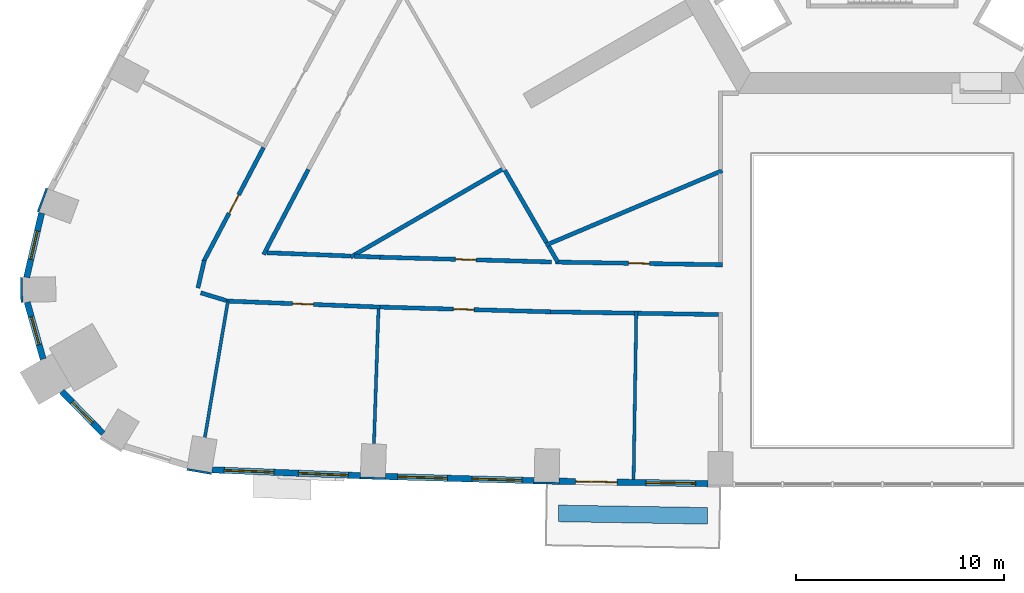
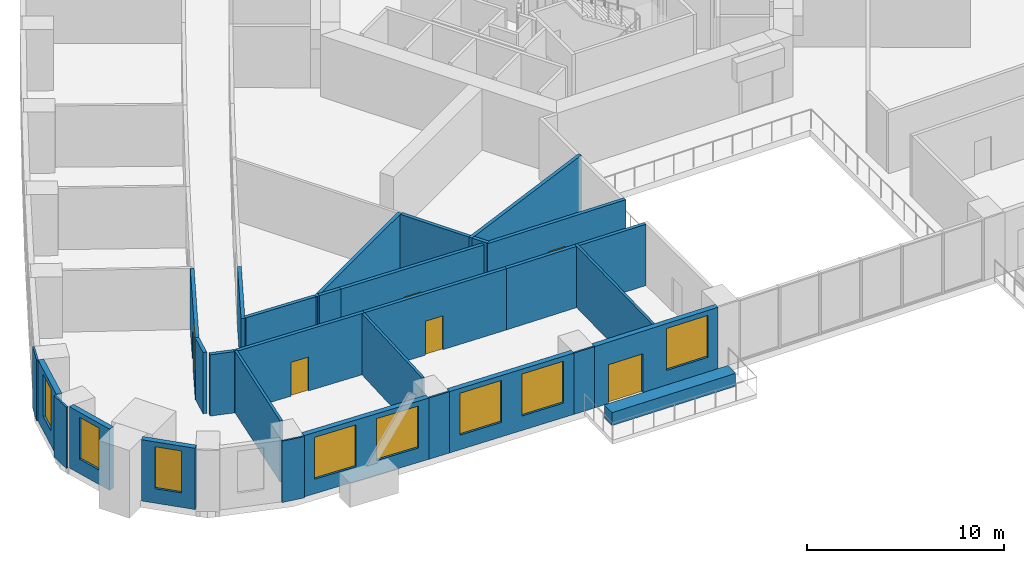
# One storey, part 4 of 15: 31 walls, 8 windows, 6 doors, 14 openings.
"""IFC4 building model written with IfcOpenShell, lengths in metres."""

import ifcopenshell
import ifcopenshell.guid

model = None  # the IFC model being written
_history = None  # IfcOwnerHistory: only IFC2X3 demands one
_inside = {}  # id of a spatial element -> (the spatial element, [elements in it])
_under = {}  # id of a project, library or spatial element -> (it, [spatial elements below it])
_declared = {}  # id of a project -> (the project, [libraries it declares])
_typed = {}  # id of a type object -> (the type object, [elements of that type])
_made_of = {}  # id of a material, layer set ... -> (it, [elements and type objects made of it])


def new_model(schema):
    """Start an empty IFC model of exactly this schema.

    Asked for "IFC4X3", IfcOpenShell would pick the latest addendum, in which some entities
    have other attributes; the version numbers below select the first issue.
    IFC2X3 requires an IfcOwnerHistory on every rooted entity: one is made here for all.
    """
    global model, _history
    if schema == "IFC4X3":
        model = ifcopenshell.file(schema_version=(4, 3, 0, 0))
    else:
        model = ifcopenshell.file(schema=schema)
    _inside.clear()
    _under.clear()
    _declared.clear()
    _typed.clear()
    _made_of.clear()
    _history = None
    if model.schema == "IFC2X3":
        org = make("IfcOrganization", Name="unknown")
        user = make(
            "IfcPersonAndOrganization",
            ThePerson=make("IfcPerson", FamilyName="unknown"),
            TheOrganization=org,
        )
        app = make(
            "IfcApplication",
            ApplicationDeveloper=org,
            Version="unknown",
            ApplicationFullName="unknown",
            ApplicationIdentifier="unknown",
        )
        _history = make(
            "IfcOwnerHistory",
            OwningUser=user,
            OwningApplication=app,
            ChangeAction="ADDED",
            CreationDate=0,
        )
    return model


def make(cls, **values):
    """One entity of the class cls with the attributes given. An attribute that is None is left unset."""
    return model.create_entity(
        cls, **{name: value for name, value in values.items() if value is not None}
    )


def rooted(cls, **values):
    """An entity with a GlobalId (a new one), such as an element, a storey or a relation."""
    return make(cls, GlobalId=ifcopenshell.guid.new(), OwnerHistory=_history, **values)


def si_unit(unit_type, name, prefix=None):
    """IfcSIUnit, for example si_unit("LENGTHUNIT", "METRE", prefix="MILLI")."""
    return make("IfcSIUnit", UnitType=unit_type, Prefix=prefix, Name=name)


def assignment(units):
    """IfcUnitAssignment: the units of a project."""
    return None if units is None else make("IfcUnitAssignment", Units=units)


def point(xyz):
    """IfcCartesianPoint."""
    return None if xyz is None else make("IfcCartesianPoint", Coordinates=xyz)


def direction(xyz):
    """IfcDirection."""
    return None if xyz is None else make("IfcDirection", DirectionRatios=xyz)


def frame(location, z_axis=None, x_axis=None):
    """IfcAxis2Placement3D, a coordinate frame: its origin and axes. An axis left out is left unset."""
    return make(
        "IfcAxis2Placement3D",
        Location=point(location),
        Axis=direction(z_axis),
        RefDirection=direction(x_axis),
    )


def frame_2d(location, x_axis=None):
    """IfcAxis2Placement2D, a coordinate frame in the plane: its origin and x axis."""
    return make(
        "IfcAxis2Placement2D", Location=point(location), RefDirection=direction(x_axis)
    )


def origin():
    """The frame at (0, 0, 0) with its axes left unset."""
    return frame((0.0, 0.0, 0.0))


def place(relative_to, where):
    """IfcLocalPlacement: puts the frame where relative to a parent placement (None: the world)."""
    return make(
        "IfcLocalPlacement", PlacementRelTo=relative_to, RelativePlacement=where
    )


def context(
    kind, dimensions, precision=None, world=None, true_north=None, identifier=None
):
    """IfcGeometricRepresentationContext, for example the 3D "Model" context."""
    return make(
        "IfcGeometricRepresentationContext",
        ContextIdentifier=identifier,
        ContextType=kind,
        CoordinateSpaceDimension=dimensions,
        Precision=precision,
        WorldCoordinateSystem=world,
        TrueNorth=true_north,
    )


def subcontext(parent, identifier, kind, view, scale=None):
    """IfcGeometricRepresentationSubContext, for example "Body" below "Model"."""
    return make(
        "IfcGeometricRepresentationSubContext",
        ContextIdentifier=identifier,
        ContextType=kind,
        ParentContext=parent,
        TargetScale=scale,
        TargetView=view,
    )


def project(units=None, contexts=None):
    """IfcProject with its units and contexts."""
    return rooted(
        "IfcProject",
        Name="project",
        RepresentationContexts=contexts,
        UnitsInContext=assignment(units),
    )


def spatial(cls, under=None, at=None, **own):
    """A site, building, storey or space (cls), placed at a placement, below another one or the project."""
    s = rooted(cls, ObjectPlacement=at, **own)
    if under is not None:
        _under.setdefault(under.id(), (under, []))[1].append(s)
    return s


def profile(cls, at=None, kind="AREA", **sizes):
    """A parametric profile (cls). Its sizes go by their IFC names, for example OverallWidth=200.0."""
    return make(cls, ProfileType=kind, Position=at, **sizes)


def rectangle(**sizes):
    """IfcRectangleProfileDef."""
    return profile("IfcRectangleProfileDef", **sizes)


def extrude(swept, where, along, depth):
    """IfcExtrudedAreaSolid: the profile swept, set in the frame where, extruded along a direction by depth."""
    return make(
        "IfcExtrudedAreaSolid",
        SweptArea=swept,
        Position=where,
        ExtrudedDirection=direction(along),
        Depth=depth,
    )


def shape(context_of_items, identifier, shape_type, items):
    """IfcShapeRepresentation: the items that make up one representation, for example the "Body"."""
    return make(
        "IfcShapeRepresentation",
        ContextOfItems=context_of_items,
        RepresentationIdentifier=identifier,
        RepresentationType=shape_type,
        Items=items,
    )


def material(Name=None, Category=None):
    """IfcMaterial."""
    return make("IfcMaterial", Name=Name, Category=Category)


def layer(
    of_material, thickness, ventilated=None, Name=None, Category=None, Priority=None
):
    """IfcMaterialLayer: one layer of a wall or slab, of a material (None: an air gap)."""
    return make(
        "IfcMaterialLayer",
        Material=of_material,
        LayerThickness=thickness,
        IsVentilated=ventilated,
        Name=Name,
        Category=Category,
        Priority=Priority,
    )


def layer_set(layers, Name=None):
    """IfcMaterialLayerSet."""
    return make("IfcMaterialLayerSet", MaterialLayers=layers, LayerSetName=Name)


def made_of(thing, what):
    """Note that an element or type object is made of a material, layer set ...; save() writes the relation."""
    if what is not None:
        _made_of.setdefault(what.id(), (what, []))[1].append(thing)
    return thing


def type_object(cls, material=None, **own):
    """A type object (cls), such as IfcWallType, which elements share."""
    return made_of(rooted(cls, **own), material)


def element(
    cls,
    number,
    at=None,
    inside=None,
    cuts=None,
    type_object=None,
    material=None,
    context=None,
    identifier="Body",
    shape_type=None,
    held_by="IfcProductDefinitionShape",
    body=None,
    shapes=None,
    **own,
):
    """One element of the class cls, such as IfcWall. Its Tag is "e" and its number.

    at: its placement. inside: the storey or other place that contains it. cuts: it is an
    opening in that element (IfcRelVoidsElement). A single representation is given by context,
    identifier, shape_type and body (its items); several are given by shapes. held_by: the class
    of the entity that holds the representations. save() writes the other relations.
    """
    e = rooted(cls, Tag="e%d" % number, ObjectPlacement=at, **own)
    if body is not None:
        shapes = [shape(context, identifier, shape_type, body)]
    if shapes is not None:
        e.Representation = make(held_by, Representations=shapes)
    if inside is not None:
        _inside.setdefault(inside.id(), (inside, []))[1].append(e)
    if cuts is not None:
        rooted(
            "IfcRelVoidsElement", RelatingBuildingElement=cuts, RelatedOpeningElement=e
        )
    if type_object is not None:
        _typed.setdefault(type_object.id(), (type_object, []))[1].append(e)
    return made_of(e, material)


def fill(opening, filler):
    """IfcRelFillsElement: the door or window that sits in an opening."""
    return rooted(
        "IfcRelFillsElement",
        RelatingOpeningElement=opening,
        RelatedBuildingElement=filler,
    )


def aggregate(whole, parts):
    """IfcRelAggregates: a whole, such as a stair, and the parts it consists of."""
    return rooted("IfcRelAggregates", RelatingObject=whole, RelatedObjects=parts)


def save(model, path):
    """Write the relations noted so far, then the file.

    IfcRelAggregates (storeys below a building ...), IfcRelContainedInSpatialStructure (elements
    in a storey), IfcRelDefinesByType, IfcRelAssociatesMaterial and IfcRelDeclares: one each for
    every whole, place, type object, material and project.
    """
    for whole, parts in _under.values():
        aggregate(whole, parts)
    for where, things in _inside.values():
        rooted(
            "IfcRelContainedInSpatialStructure",
            RelatedElements=things,
            RelatingStructure=where,
        )
    for kind, things in _typed.values():
        rooted("IfcRelDefinesByType", RelatedObjects=things, RelatingType=kind)
    for what, things in _made_of.values():
        rooted("IfcRelAssociatesMaterial", RelatedObjects=things, RelatingMaterial=what)
    for by, libraries in _declared.values():
        rooted("IfcRelDeclares", RelatingContext=by, RelatedDefinitions=libraries)
    model.write(path)


model = new_model("IFC4")

# Units and contexts
model_context = context("Model", 3, precision=1e-05, world=origin(), true_north=direction((0.0, 1.0)))
body_context = subcontext(model_context, "Body", "Model", "MODEL_VIEW")
ifc_project = project(units=[si_unit("LENGTHUNIT", "METRE"), si_unit("AREAUNIT", "SQUARE_METRE"), si_unit("VOLUMEUNIT", "CUBIC_METRE"), si_unit("PLANEANGLEUNIT", "RADIAN"), si_unit("MASSUNIT", "GRAM", prefix="KILO")], contexts=[model_context])

# Site, building, storey
site_placement = place(None, origin())
site = spatial("IfcSite", under=ifc_project, at=site_placement, CompositionType="ELEMENT")
building_placement = place(site_placement, origin())
building = spatial("IfcBuilding", under=site, at=building_placement, Name="Entoto Arch Interchange Tower", CompositionType="ELEMENT")
storey_placement = place(building_placement, frame((0.0, 0.0, 39.199951171875)))
storey = spatial("IfcBuildingStorey", under=building, at=storey_placement, Name="L07", CompositionType="ELEMENT", Elevation=39.199951171875)

# Walls
ifc_material_1 = material(Name="Gypsum board partition on steel studs", Category="steel")
ifc_layer_1 = layer(ifc_material_1, 0.14990234375)
ifc_layer_set_1 = layer_set([ifc_layer_1], Name="Gypsum board partition on steel studs")
wall_type_1 = type_object("IfcWallType", Name="PARTITION 150", PredefinedType="PARTITIONING", material=ifc_layer_set_1)
wall_1_placement = place(storey_placement, frame((-31.514892578125, -19.506103515625, 0.0), z_axis=(0.0, 0.0, 1.0), x_axis=(-0.166785823947, -0.985993148521, 0.0)))
element("IfcWall", 1, at=wall_1_placement, inside=storey, type_object=wall_type_1, Name="wall:L07:p144", PredefinedType="PARTITIONING", context=body_context, shape_type="SweptSolid", body=[
    extrude(rectangle(XDim=6.650146484375, YDim=0.14990234375, at=frame_2d((3.3251953125, 0.0))), origin(), (0.0, 0.0, 1.0), 3.800048828125),
])
wall_2_placement = place(storey_placement, frame((-24.263916015625, -19.89208984375, 0.0), z_axis=(0.0, 0.0, 1.0), x_axis=(-0.033647289587, -0.999433769643, 0.0)))
element("IfcWall", 2, at=wall_2_placement, inside=storey, type_object=wall_type_1, Name="wall:L07:p145", PredefinedType="PARTITIONING", context=body_context, shape_type="SweptSolid", body=[
    extrude(rectangle(XDim=6.4794921875, YDim=0.14990234375, at=frame_2d((3.23974609375, 0.0))), origin(), (0.0, 0.0, 1.0), 3.800048828125),
])
wall_3_placement = place(storey_placement, frame((-11.847900390625, -19.990966796875, 0.0), z_axis=(0.0, 0.0, 1.0), x_axis=(-0.016305783899, -0.999867051868, 0.0)))
element("IfcWall", 3, at=wall_3_placement, inside=storey, type_object=wall_type_1, Name="wall:L07:p146", PredefinedType="PARTITIONING", context=body_context, shape_type="SweptSolid", body=[
    extrude(rectangle(XDim=8.10009765625, YDim=0.14990234375, at=frame_2d((4.050048828125, 0.0))), origin(), (0.0, 0.0, 1.0), 3.800048828125),
])

# Wall, opening, door
ifc_layer_2 = layer(ifc_material_1, 0.199951171875)
ifc_layer_set_2 = layer_set([ifc_layer_2], Name="Gypsum board partition on steel studs")
wall_type_2 = type_object("IfcWallType", Name="PARTITION 200", PredefinedType="PARTITIONING", material=ifc_layer_set_2)
wall_4_placement = place(storey_placement, frame((-15.72998046875, -17.626953125, 0.0), z_axis=(0.0, 0.0, 1.0), x_axis=(0.999866746812, -0.016324479129, 0.0)))
wall_4 = element("IfcWall", 4, at=wall_4_placement, inside=storey, type_object=wall_type_2, Name="wall:L07:p028", PredefinedType="PARTITIONING", context=body_context, shape_type="SweptSolid", body=[
    extrude(rectangle(XDim=8.031005859375, YDim=0.199951171875, at=frame_2d((4.015625, 0.0))), origin(), (0.0, 0.0, 1.0), 3.800048828125),
])
opening_1_placement = place(wall_4_placement, frame((3.514892578125, 0.0, 0.0)))
opening_1 = element("IfcOpeningElement", 5, at=opening_1_placement, cuts=wall_4, Name="Opening L07-D31", PredefinedType="OPENING", context=body_context, shape_type="SweptSolid", body=[
    extrude(rectangle(XDim=1.0, YDim=2.10009765625, at=frame_2d((0.5, 1.050048828125))), frame((0.0, 0.10986328125, 0.0), z_axis=(0.0, -1.0, 0.0), x_axis=(1.0, 0.0, 0.0)), (0.0, 0.0, 1.0), 0.219970703125),
])
ifc_material_2 = material(Name="Timber door leaf in Steel S235 frame", Category="steel")
door_type_1 = type_object("IfcDoorType", Name="DOOR DS-10 1000x2100", OperationType="SINGLE_SWING_LEFT", PredefinedType="DOOR", material=ifc_material_2)
door_1_placement = place(opening_1_placement, origin())
door_1 = element("IfcDoor", 6, at=door_1_placement, inside=storey, type_object=door_type_1, Name="door:L07:31", OperationType="SINGLE_SWING_LEFT", OverallHeight=2.10009765625, OverallWidth=1.0, PredefinedType="DOOR", context=body_context, shape_type="SweptSolid", body=[
    extrude(rectangle(XDim=1.0, YDim=2.10009765625, at=frame_2d((0.5, 1.050048828125))), frame((0.0, 0.02490234375, 0.0), z_axis=(0.0, -1.0, 0.0), x_axis=(1.0, 0.0, 0.0)), (0.0, 0.0, 1.0), 0.050048828125),
])
fill(opening_1, door_1)

# Walls
wall_5_placement = place(storey_placement, frame((-27.64404296875, -13.1669921875, 0.0), z_axis=(0.0, 0.0, 1.0), x_axis=(-0.464919738277, -0.885352831904, 0.0)))
element("IfcWall", 7, at=wall_5_placement, inside=storey, type_object=wall_type_2, Name="wall:L07:p031", PredefinedType="PARTITIONING", context=body_context, shape_type="SweptSolid", body=[
    extrude(rectangle(XDim=4.62646484375, YDim=0.199951171875, at=frame_2d((2.313232421875, 0.0))), origin(), (0.0, 0.0, 1.0), 3.800048828125),
])
wall_6_placement = place(storey_placement, frame((-29.638916015625, -17.177978515625, 0.0), z_axis=(0.0, 0.0, 1.0), x_axis=(0.999228076722, -0.039284229546, 0.0)))
element("IfcWall", 8, at=wall_6_placement, inside=storey, type_object=wall_type_2, Name="wall:L07:p032", PredefinedType="PARTITIONING", context=body_context, shape_type="SweptSolid", body=[
    extrude(rectangle(XDim=4.02099609375, YDim=0.199951171875, at=frame_2d((2.010498046875, 0.0))), origin(), (0.0, 0.0, 1.0), 3.800048828125),
])
wall_7_placement = place(storey_placement, frame((-25.4208984375, -17.343994140625, 0.0), z_axis=(0.0, 0.0, 1.0), x_axis=(0.999219068508, -0.039512695804, 0.0)))
element("IfcWall", 9, at=wall_7_placement, inside=storey, type_object=wall_type_2, Name="wall:L07:p033", PredefinedType="PARTITIONING", context=body_context, shape_type="SweptSolid", body=[
    extrude(rectangle(XDim=1.241943359375, YDim=0.199951171875, at=frame_2d((0.62109375, 0.0))), origin(), (0.0, 0.0, 1.0), 3.800048828125),
])

# Wall, opening, door
wall_8_placement = place(storey_placement, frame((-24.179931640625, -17.39306640625, 0.0), z_axis=(0.0, 0.0, 1.0), x_axis=(0.999611380121, -0.02787631132, 0.0)))
wall_8 = element("IfcWall", 10, at=wall_8_placement, inside=storey, type_object=wall_type_2, Name="wall:L07:p034", PredefinedType="PARTITIONING", context=body_context, shape_type="SweptSolid", body=[
    extrude(rectangle(XDim=8.25, YDim=0.199951171875, at=frame_2d((4.125, 0.0))), origin(), (0.0, 0.0, 1.0), 3.800048828125),
])
opening_2_placement = place(wall_8_placement, frame((3.625, 0.0, 0.0)))
opening_2 = element("IfcOpeningElement", 11, at=opening_2_placement, cuts=wall_8, Name="Opening L07-D33", PredefinedType="OPENING", context=body_context, shape_type="SweptSolid", body=[
    extrude(rectangle(XDim=1.0, YDim=2.10009765625, at=frame_2d((0.5, 1.050048828125))), frame((0.0, 0.10986328125, 0.0), z_axis=(0.0, -1.0, 0.0), x_axis=(1.0, 0.0, 0.0)), (0.0, 0.0, 1.0), 0.219970703125),
])
door_2_placement = place(opening_2_placement, origin())
door_2 = element("IfcDoor", 12, at=door_2_placement, inside=storey, type_object=door_type_1, Name="door:L07:33", OperationType="SINGLE_SWING_RIGHT", OverallHeight=2.10009765625, OverallWidth=1.0, PredefinedType="DOOR", context=body_context, shape_type="SweptSolid", body=[
    extrude(rectangle(XDim=1.0, YDim=2.10009765625, at=frame_2d((0.5, 1.050048828125))), frame((0.0, 0.02490234375, 0.0), z_axis=(0.0, -1.0, 0.0), x_axis=(1.0, 0.0, 0.0)), (0.0, 0.0, 1.0), 0.050048828125),
])
fill(opening_2, door_2)

# Walls
wall_9_placement = place(storey_placement, frame((-31.611083984375, -19.47705078125, 0.0), z_axis=(0.0, 0.0, 1.0), x_axis=(-0.956459113118, 0.291866347723, 0.0)))
element("IfcWall", 13, at=wall_9_placement, inside=storey, type_object=wall_type_2, Name="wall:L07:p066", PredefinedType="PARTITIONING", context=body_context, shape_type="SweptSolid", body=[
    extrude(rectangle(XDim=1.26806640625, YDim=0.199951171875, at=frame_2d((0.634033203125, 0.0))), origin(), (0.0, 0.0, 1.0), 3.800048828125),
])
wall_10_placement = place(storey_placement, frame((-32.9599609375, -18.8740234375, 0.0), z_axis=(0.0, 0.0, 1.0), x_axis=(0.226081445763, 0.974108402531, 0.0)))
element("IfcWall", 14, at=wall_10_placement, inside=storey, type_object=wall_type_2, Name="wall:L07:p067", PredefinedType="PARTITIONING", context=body_context, shape_type="SweptSolid", body=[
    extrude(rectangle(XDim=1.371337890625, YDim=0.199951171875, at=frame_2d((0.685546875, 0.0))), origin(), (0.0, 0.0, 1.0), 3.800048828125),
])

# Wall, opening, door
wall_11_placement = place(storey_placement, frame((-32.696044921875, -17.6259765625, 0.0), z_axis=(0.0, 0.0, 1.0), x_axis=(0.464767882002, 0.885432558617, 0.0)))
wall_11 = element("IfcWall", 15, at=wall_11_placement, inside=storey, type_object=wall_type_2, Name="wall:L07:p068", PredefinedType="PARTITIONING", context=body_context, shape_type="SweptSolid", body=[
    extrude(rectangle(XDim=6.233154296875, YDim=0.199951171875, at=frame_2d((3.11669921875, 0.0))), origin(), (0.0, 0.0, 1.0), 3.800048828125),
])
opening_3_placement = place(wall_11_placement, frame((2.654052734375, 0.0, 0.0)))
opening_3 = element("IfcOpeningElement", 16, at=opening_3_placement, cuts=wall_11, Name="Opening L07-D19", PredefinedType="OPENING", context=body_context, shape_type="SweptSolid", body=[
    extrude(rectangle(XDim=1.0, YDim=2.10009765625, at=frame_2d((0.5, 1.050048828125))), frame((0.0, 0.10986328125, 0.0), z_axis=(0.0, -1.0, 0.0), x_axis=(1.0, 0.0, 0.0)), (0.0, 0.0, 1.0), 0.219970703125),
])
door_3_placement = place(opening_3_placement, origin())
door_3 = element("IfcDoor", 17, at=door_3_placement, inside=storey, type_object=door_type_1, Name="door:L07:19", OperationType="SINGLE_SWING_RIGHT", OverallHeight=2.10009765625, OverallWidth=1.0, PredefinedType="DOOR", context=body_context, shape_type="SweptSolid", body=[
    extrude(rectangle(XDim=1.0, YDim=2.10009765625, at=frame_2d((0.5, 1.050048828125))), frame((0.0, 0.02490234375, 0.0), z_axis=(0.0, -1.0, 0.0), x_axis=(1.0, 0.0, 0.0)), (0.0, 0.0, 1.0), 0.050048828125),
])
fill(opening_3, door_3)

wall_12_placement = place(storey_placement, frame((-24.18603515625, -19.794921875, 0.0), z_axis=(0.0, 0.0, 1.0), x_axis=(-0.9992284676, 0.039274285953, 0.0)))
wall_12 = element("IfcWall", 18, at=wall_12_placement, inside=storey, type_object=wall_type_2, Name="wall:L07:p069", PredefinedType="PARTITIONING", context=body_context, shape_type="SweptSolid", body=[
    extrude(rectangle(XDim=7.4345703125, YDim=0.199951171875, at=frame_2d((3.71728515625, 0.0))), origin(), (0.0, 0.0, 1.0), 3.800048828125),
])
opening_4_placement = place(wall_12_placement, frame((3.217041015625, 0.0, 0.0)))
opening_4 = element("IfcOpeningElement", 19, at=opening_4_placement, cuts=wall_12, Name="Opening L07-D20", PredefinedType="OPENING", context=body_context, shape_type="SweptSolid", body=[
    extrude(rectangle(XDim=1.0, YDim=2.10009765625, at=frame_2d((0.5, 1.050048828125))), frame((0.0, 0.10986328125, 0.0), z_axis=(0.0, -1.0, 0.0), x_axis=(1.0, 0.0, 0.0)), (0.0, 0.0, 1.0), 0.219970703125),
])
door_4_placement = place(opening_4_placement, origin())
door_4 = element("IfcDoor", 20, at=door_4_placement, inside=storey, type_object=door_type_1, Name="door:L07:20", OperationType="SINGLE_SWING_LEFT", OverallHeight=2.10009765625, OverallWidth=1.0, PredefinedType="DOOR", context=body_context, shape_type="SweptSolid", body=[
    extrude(rectangle(XDim=1.0, YDim=2.10009765625, at=frame_2d((0.5, 1.050048828125))), frame((0.0, 0.02490234375, 0.0), z_axis=(0.0, -1.0, 0.0), x_axis=(1.0, 0.0, 0.0)), (0.0, 0.0, 1.0), 0.050048828125),
])
fill(opening_4, door_4)

# Wall
wall_13_placement = place(storey_placement, frame((-11.924072265625, -20.089111328125, 0.0), z_axis=(0.0, 0.0, 1.0), x_axis=(-0.999867376665, 0.016285855216, 0.0)))
element("IfcWall", 21, at=wall_13_placement, inside=storey, type_object=wall_type_2, Name="wall:L07:p070", PredefinedType="PARTITIONING", context=body_context, shape_type="SweptSolid", body=[
    extrude(rectangle(XDim=4.0625, YDim=0.199951171875, at=frame_2d((2.03125, 0.0))), origin(), (0.0, 0.0, 1.0), 3.800048828125),
])

# Wall, opening, door
wall_14_placement = place(storey_placement, frame((-15.986083984375, -20.02294921875, 0.0), z_axis=(0.0, 0.0, 1.0), x_axis=(-0.999610256124, 0.027916587377, 0.0)))
wall_14 = element("IfcWall", 22, at=wall_14_placement, inside=storey, type_object=wall_type_2, Name="wall:L07:p071", PredefinedType="PARTITIONING", context=body_context, shape_type="SweptSolid", body=[
    extrude(rectangle(XDim=8.203125, YDim=0.199951171875, at=frame_2d((4.1015625, 0.0))), origin(), (0.0, 0.0, 1.0), 3.800048828125),
])
opening_5_placement = place(wall_14_placement, frame((3.677001953125, 0.0, 0.0)))
opening_5 = element("IfcOpeningElement", 23, at=opening_5_placement, cuts=wall_14, Name="Opening L07-D21", PredefinedType="OPENING", context=body_context, shape_type="SweptSolid", body=[
    extrude(rectangle(XDim=1.0, YDim=2.10009765625, at=frame_2d((0.5, 1.050048828125))), frame((0.0, 0.10986328125, 0.0), z_axis=(0.0, -1.0, 0.0), x_axis=(1.0, 0.0, 0.0)), (0.0, 0.0, 1.0), 0.219970703125),
])
door_5_placement = place(opening_5_placement, origin())
door_5 = element("IfcDoor", 24, at=door_5_placement, inside=storey, type_object=door_type_1, Name="door:L07:21", OperationType="SINGLE_SWING_RIGHT", OverallHeight=2.10009765625, OverallWidth=1.0, PredefinedType="DOOR", context=body_context, shape_type="SweptSolid", body=[
    extrude(rectangle(XDim=1.0, YDim=2.10009765625, at=frame_2d((0.5, 1.050048828125))), frame((0.0, 0.02490234375, 0.0), z_axis=(0.0, -1.0, 0.0), x_axis=(1.0, 0.0, 0.0)), (0.0, 0.0, 1.0), 0.050048828125),
])
fill(opening_5, door_5)

# Walls
wall_15_placement = place(storey_placement, frame((-7.89990234375, -20.155029296875, 0.0), z_axis=(0.0, 0.0, 1.0), x_axis=(-0.999867846419, 0.016256989184, 0.0)))
element("IfcWall", 25, at=wall_15_placement, inside=storey, type_object=wall_type_2, Name="wall:L07:p072", PredefinedType="PARTITIONING", context=body_context, shape_type="SweptSolid", body=[
    extrude(rectangle(XDim=3.87451171875, YDim=0.199951171875, at=frame_2d((1.937255859375, 0.0))), origin(), (0.0, 0.0, 1.0), 3.800048828125),
])
wall_16_placement = place(storey_placement, frame((-7.7080078125, -13.221923828125, 0.0), z_axis=(0.0, 0.0, 1.0), x_axis=(-0.921093468555, -0.389341523839, 0.0)))
element("IfcWall", 26, at=wall_16_placement, inside=storey, type_object=wall_type_2, Name="wall:L07:p121", PredefinedType="PARTITIONING", context=body_context, shape_type="SweptSolid", body=[
    extrude(rectangle(XDim=9.2333984375, YDim=0.199951171875, at=frame_2d((4.61669921875, 0.0))), origin(), (0.0, 0.0, 1.0), 3.800048828125),
])
wall_17_placement = place(storey_placement, frame((-16.1708984375, -16.69189453125, 0.0), z_axis=(0.0, 0.0, 1.0), x_axis=(-0.499813503007, 0.866133051102, 0.0)))
element("IfcWall", 27, at=wall_17_placement, inside=storey, type_object=wall_type_2, Name="wall:L07:p123", PredefinedType="PARTITIONING", context=body_context, shape_type="SweptSolid", body=[
    extrude(rectangle(XDim=4.0234375, YDim=0.199951171875, at=frame_2d((2.01171875, 0.0))), origin(), (0.0, 0.0, 1.0), 3.800048828125),
])
wall_18_placement = place(storey_placement, frame((-15.6298828125, -17.6279296875, 0.0), z_axis=(0.0, 0.0, 1.0), x_axis=(-0.500577563191, 0.865691690632, 0.0)))
element("IfcWall", 28, at=wall_18_placement, inside=storey, type_object=wall_type_2, Name="wall:L07:p124", PredefinedType="PARTITIONING", context=body_context, shape_type="SweptSolid", body=[
    extrude(rectangle(XDim=0.88134765625, YDim=0.199951171875, at=frame_2d((0.440673828125, 0.0))), origin(), (0.0, 0.0, 1.0), 3.800048828125),
])
wall_19_placement = place(storey_placement, frame((-18.2109375, -13.10791015625, 0.0), z_axis=(0.0, 0.0, 1.0), x_axis=(-0.865421721769, -0.501044153235, 0.0)))
element("IfcWall", 29, at=wall_19_placement, inside=storey, type_object=wall_type_2, Name="wall:L07:p125", PredefinedType="PARTITIONING", context=body_context, shape_type="SweptSolid", body=[
    extrude(rectangle(XDim=8.546142578125, YDim=0.199951171875, at=frame_2d((4.27294921875, 0.0))), origin(), (0.0, 0.0, 1.0), 3.800048828125),
])
ifc_material_3 = material(Name="Board-marked precast concrete C50/60", Category="concrete")
ifc_layer_3 = layer(ifc_material_3, 0.800048828125)
ifc_layer_set_3 = layer_set([ifc_layer_3], Name="Board-marked precast concrete C50/60")
wall_type_3 = type_object("IfcWallType", Name="PLANTER RC 800 Hagenia abyssinica", PredefinedType="STANDARD", material=ifc_layer_set_3)
wall_20_placement = place(storey_placement, frame((-15.593017578125, -29.73095703125, 0.0), z_axis=(0.0, 0.0, 1.0), x_axis=(0.999867014084, -0.016308100645, 0.0)))
element("IfcWall", 30, at=wall_20_placement, inside=storey, type_object=wall_type_3, Name="Planter S-03 L07", PredefinedType="STANDARD", context=body_context, shape_type="SweptSolid", body=[
    extrude(rectangle(XDim=7.1708984375, YDim=0.800048828125, at=frame_2d((3.58544921875, 0.0))), origin(), (0.0, 0.0, 1.0), 0.800048828125),
])

# Wall, openings, windows
ifc_material_4 = material(Name="Welded tuff (ignimbrite) cladding, warm buff", Category="masonry")
ifc_layer_4 = layer(ifc_material_4, 0.300048828125)
ifc_layer_set_4 = layer_set([ifc_layer_4], Name="Welded tuff (ignimbrite) cladding, warm buff")
wall_type_4 = type_object("IfcWallType", Name="STONE INFILL WALL 300", PredefinedType="STANDARD", material=ifc_layer_set_4)
wall_21_placement = place(storey_placement, frame((-32.281982421875, -27.633056640625, 0.0), z_axis=(0.0, 0.0, 1.0), x_axis=(0.999228146648, -0.039282450878, 0.0)))
wall_21 = element("IfcWall", 31, at=wall_21_placement, inside=storey, type_object=wall_type_4, Name="Facade wall S-01 L07", PredefinedType="STANDARD", context=body_context, shape_type="SweptSolid", body=[
    extrude(rectangle(XDim=7.153564453125, YDim=0.300048828125, at=frame_2d((3.57666015625, 0.0))), origin(), (0.0, 0.0, 1.0), 3.800048828125),
])
opening_6_placement = place(wall_21_placement, frame((0.587890625, 0.0, 0.89990234375)))
opening_6 = element("IfcOpeningElement", 32, at=opening_6_placement, cuts=wall_21, Name="Opening WO-A", PredefinedType="OPENING", context=body_context, shape_type="SweptSolid", body=[
    extrude(rectangle(XDim=2.39990234375, YDim=2.60009765625, at=frame_2d((1.199951171875, 1.300048828125))), frame((0.0, 0.16015625, 0.0), z_axis=(0.0, -1.0, 0.0), x_axis=(1.0, 0.0, 0.0)), (0.0, 0.0, 1.0), 0.320068359375),
])
opening_7_placement = place(wall_21_placement, frame((4.1650390625, 0.0, 0.89990234375)))
opening_7 = element("IfcOpeningElement", 33, at=opening_7_placement, cuts=wall_21, Name="Opening WO-A", PredefinedType="OPENING", context=body_context, shape_type="SweptSolid", body=[
    extrude(rectangle(XDim=2.39990234375, YDim=2.60009765625, at=frame_2d((1.199951171875, 1.300048828125))), frame((0.0, 0.16015625, 0.0), z_axis=(0.0, -1.0, 0.0), x_axis=(1.0, 0.0, 0.0)), (0.0, 0.0, 1.0), 0.320068359375),
])
ifc_material_5 = material(Name="Clear glass, low-e double glazed", Category="glass")
window_type_1 = type_object("IfcWindowType", Name="WINDOW WO-A 2400x2600", PartitioningType="DOUBLE_PANEL_VERTICAL", PredefinedType="WINDOW", material=ifc_material_5)
window_1_placement = place(opening_6_placement, origin())
window_1 = element("IfcWindow", 34, at=window_1_placement, inside=storey, type_object=window_type_1, Name="Window WO-A S-01 L07", OverallHeight=2.60009765625, OverallWidth=2.39990234375, PartitioningType="SINGLE_PANEL", PredefinedType="WINDOW", context=body_context, shape_type="SweptSolid", body=[
    extrude(rectangle(XDim=2.39990234375, YDim=2.60009765625, at=frame_2d((1.199951171875, 1.300048828125))), frame((0.0, 0.030029296875, 0.0), z_axis=(0.0, -1.0, 0.0), x_axis=(1.0, 0.0, 0.0)), (0.0, 0.0, 1.0), 0.06005859375),
])
fill(opening_6, window_1)
window_2_placement = place(opening_7_placement, origin())
window_2 = element("IfcWindow", 35, at=window_2_placement, inside=storey, type_object=window_type_1, Name="Window WO-A S-01 L07", OverallHeight=2.60009765625, OverallWidth=2.39990234375, PartitioningType="SINGLE_PANEL", PredefinedType="WINDOW", context=body_context, shape_type="SweptSolid", body=[
    extrude(rectangle(XDim=2.39990234375, YDim=2.60009765625, at=frame_2d((1.199951171875, 1.300048828125))), frame((0.0, 0.030029296875, 0.0), z_axis=(0.0, -1.0, 0.0), x_axis=(1.0, 0.0, 0.0)), (0.0, 0.0, 1.0), 0.06005859375),
])
fill(opening_7, window_2)

wall_22_placement = place(storey_placement, frame((-23.93603515625, -27.9541015625, 0.0), z_axis=(0.0, 0.0, 1.0), x_axis=(0.999611502654, -0.02787191709, 0.0)))
wall_22 = element("IfcWall", 36, at=wall_22_placement, inside=storey, type_object=wall_type_4, Name="Facade wall S-02 L07", PredefinedType="STANDARD", context=body_context, shape_type="SweptSolid", body=[
    extrude(rectangle(XDim=7.173828125, YDim=0.300048828125, at=frame_2d((3.5869140625, 0.0))), origin(), (0.0, 0.0, 1.0), 3.800048828125),
])
opening_8_placement = place(wall_22_placement, frame((0.593017578125, 0.0, 0.89990234375)))
opening_8 = element("IfcOpeningElement", 37, at=opening_8_placement, cuts=wall_22, Name="Opening WO-A", PredefinedType="OPENING", context=body_context, shape_type="SweptSolid", body=[
    extrude(rectangle(XDim=2.39990234375, YDim=2.60009765625, at=frame_2d((1.199951171875, 1.300048828125))), frame((0.0, 0.16015625, 0.0), z_axis=(0.0, -1.0, 0.0), x_axis=(1.0, 0.0, 0.0)), (0.0, 0.0, 1.0), 0.320068359375),
])
opening_9_placement = place(wall_22_placement, frame((4.179931640625, 0.0, 0.89990234375)))
opening_9 = element("IfcOpeningElement", 38, at=opening_9_placement, cuts=wall_22, Name="Opening WO-A", PredefinedType="OPENING", context=body_context, shape_type="SweptSolid", body=[
    extrude(rectangle(XDim=2.39990234375, YDim=2.60009765625, at=frame_2d((1.199951171875, 1.300048828125))), frame((0.0, 0.16015625, 0.0), z_axis=(0.0, -1.0, 0.0), x_axis=(1.0, 0.0, 0.0)), (0.0, 0.0, 1.0), 0.320068359375),
])
window_3_placement = place(opening_8_placement, origin())
window_3 = element("IfcWindow", 39, at=window_3_placement, inside=storey, type_object=window_type_1, Name="Window WO-A S-02 L07", OverallHeight=2.60009765625, OverallWidth=2.39990234375, PartitioningType="SINGLE_PANEL", PredefinedType="WINDOW", context=body_context, shape_type="SweptSolid", body=[
    extrude(rectangle(XDim=2.39990234375, YDim=2.60009765625, at=frame_2d((1.199951171875, 1.300048828125))), frame((0.0, 0.030029296875, 0.0), z_axis=(0.0, -1.0, 0.0), x_axis=(1.0, 0.0, 0.0)), (0.0, 0.0, 1.0), 0.06005859375),
])
fill(opening_8, window_3)
window_4_placement = place(opening_9_placement, origin())
window_4 = element("IfcWindow", 40, at=window_4_placement, inside=storey, type_object=window_type_1, Name="Window WO-A S-02 L07", OverallHeight=2.60009765625, OverallWidth=2.39990234375, PartitioningType="SINGLE_PANEL", PredefinedType="WINDOW", context=body_context, shape_type="SweptSolid", body=[
    extrude(rectangle(XDim=2.39990234375, YDim=2.60009765625, at=frame_2d((1.199951171875, 1.300048828125))), frame((0.0, 0.030029296875, 0.0), z_axis=(0.0, -1.0, 0.0), x_axis=(1.0, 0.0, 0.0)), (0.0, 0.0, 1.0), 0.06005859375),
])
fill(opening_9, window_4)

# Wall, openings, door, window
wall_23_placement = place(storey_placement, frame((-15.568115234375, -28.180908203125, 0.0), z_axis=(0.0, 0.0, 1.0), x_axis=(0.999866467443, -0.016341581408, 0.0)))
wall_23 = element("IfcWall", 41, at=wall_23_placement, inside=storey, type_object=wall_type_4, Name="Facade wall S-03 L07", PredefinedType="STANDARD", context=body_context, shape_type="SweptSolid", body=[
    extrude(rectangle(XDim=7.171142578125, YDim=0.300048828125, at=frame_2d((3.58544921875, 0.0))), origin(), (0.0, 0.0, 1.0), 3.800048828125),
])
opening_10_placement = place(wall_23_placement, frame((0.79296875, 0.0, 0.0)))
opening_10 = element("IfcOpeningElement", 42, at=opening_10_placement, cuts=wall_23, Name="Opening DB-S-03-L07", PredefinedType="OPENING", context=body_context, shape_type="SweptSolid", body=[
    extrude(rectangle(XDim=2.0, YDim=2.39990234375, at=frame_2d((1.0, 1.199951171875))), frame((0.0, 0.16015625, 0.0), z_axis=(0.0, -1.0, 0.0), x_axis=(1.0, 0.0, 0.0)), (0.0, 0.0, 1.0), 0.320068359375),
])
opening_11_placement = place(wall_23_placement, frame((4.177978515625, 0.0, 0.89990234375)))
opening_11 = element("IfcOpeningElement", 43, at=opening_11_placement, cuts=wall_23, Name="Opening WO-A", PredefinedType="OPENING", context=body_context, shape_type="SweptSolid", body=[
    extrude(rectangle(XDim=2.39990234375, YDim=2.60009765625, at=frame_2d((1.199951171875, 1.300048828125))), frame((0.0, 0.16015625, 0.0), z_axis=(0.0, -1.0, 0.0), x_axis=(1.0, 0.0, 0.0)), (0.0, 0.0, 1.0), 0.320068359375),
])
ifc_material_6 = material(Name="Aluminium and clear glass, anodised", Category="aluminium")
door_type_2 = type_object("IfcDoorType", Name="BALCONY DOOR DB 2000x2400", OperationType="SLIDING_TO_LEFT", PredefinedType="DOOR", material=ifc_material_6)
door_6_placement = place(opening_10_placement, origin())
door_6 = element("IfcDoor", 44, at=door_6_placement, inside=storey, type_object=door_type_2, Name="Balcony door S-03 L07", OperationType="SLIDING_TO_LEFT", OverallHeight=2.39990234375, OverallWidth=2.0, PredefinedType="DOOR", context=body_context, shape_type="SweptSolid", body=[
    extrude(rectangle(XDim=2.0, YDim=2.39990234375, at=frame_2d((1.0, 1.199951171875))), frame((0.0, 0.02490234375, 0.0), z_axis=(0.0, -1.0, 0.0), x_axis=(1.0, 0.0, 0.0)), (0.0, 0.0, 1.0), 0.050048828125),
])
fill(opening_10, door_6)
window_5_placement = place(opening_11_placement, origin())
window_5 = element("IfcWindow", 45, at=window_5_placement, inside=storey, type_object=window_type_1, Name="Window WO-A S-03 L07", OverallHeight=2.60009765625, OverallWidth=2.39990234375, PartitioningType="SINGLE_PANEL", PredefinedType="WINDOW", context=body_context, shape_type="SweptSolid", body=[
    extrude(rectangle(XDim=2.39990234375, YDim=2.60009765625, at=frame_2d((1.199951171875, 1.300048828125))), frame((0.0, 0.030029296875, 0.0), z_axis=(0.0, -1.0, 0.0), x_axis=(1.0, 0.0, 0.0)), (0.0, 0.0, 1.0), 0.06005859375),
])
fill(opening_11, window_5)

# Wall, opening, window
wall_24_placement = place(storey_placement, frame((-40.489013671875, -15.263916015625, 0.0), z_axis=(0.0, 0.0, 1.0), x_axis=(-0.225929520451, -0.974143650489, 0.0)))
wall_24 = element("IfcWall", 46, at=wall_24_placement, inside=storey, type_object=wall_type_4, Name="Facade wall SW-01 L07", PredefinedType="STANDARD", context=body_context, shape_type="SweptSolid", body=[
    extrude(rectangle(XDim=3.182373046875, YDim=0.300048828125, at=frame_2d((1.59130859375, 0.0))), origin(), (0.0, 0.0, 1.0), 3.800048828125),
])
opening_12_placement = place(wall_24_placement, frame((0.89111328125, 0.0, 0.89990234375)))
opening_12 = element("IfcOpeningElement", 47, at=opening_12_placement, cuts=wall_24, Name="Opening WO-B", PredefinedType="OPENING", context=body_context, shape_type="SweptSolid", body=[
    extrude(rectangle(XDim=1.39990234375, YDim=2.60009765625, at=frame_2d((0.699951171875, 1.300048828125))), frame((0.0, 0.16015625, 0.0), z_axis=(0.0, -1.0, 0.0), x_axis=(1.0, 0.0, 0.0)), (0.0, 0.0, 1.0), 0.320068359375),
])
window_type_2 = type_object("IfcWindowType", Name="WINDOW WO-B 1400x2600", PartitioningType="DOUBLE_PANEL_VERTICAL", PredefinedType="WINDOW", material=ifc_material_5)
window_6_placement = place(opening_12_placement, origin())
window_6 = element("IfcWindow", 48, at=window_6_placement, inside=storey, type_object=window_type_2, Name="Window WO-B SW-01 L07", OverallHeight=2.60009765625, OverallWidth=1.39990234375, PartitioningType="SINGLE_PANEL", PredefinedType="WINDOW", context=body_context, shape_type="SweptSolid", body=[
    extrude(rectangle(XDim=1.39990234375, YDim=2.60009765625, at=frame_2d((0.699951171875, 1.300048828125))), frame((0.0, 0.030029296875, 0.0), z_axis=(0.0, -1.0, 0.0), x_axis=(1.0, 0.0, 0.0)), (0.0, 0.0, 1.0), 0.06005859375),
])
fill(opening_12, window_6)

wall_25_placement = place(storey_placement, frame((-41.180908203125, -19.56201171875, 0.0), z_axis=(0.0, 0.0, 1.0), x_axis=(0.269754317033, -0.962929181426, 0.0)))
wall_25 = element("IfcWall", 49, at=wall_25_placement, inside=storey, type_object=wall_type_4, Name="Facade wall SW-02 L07", PredefinedType="STANDARD", context=body_context, shape_type="SweptSolid", body=[
    extrude(rectangle(XDim=2.839111328125, YDim=0.300048828125, at=frame_2d((1.41943359375, 0.0))), origin(), (0.0, 0.0, 1.0), 3.800048828125),
])
opening_13_placement = place(wall_25_placement, frame((0.719970703125, 0.0, 0.89990234375)))
opening_13 = element("IfcOpeningElement", 50, at=opening_13_placement, cuts=wall_25, Name="Opening WO-B", PredefinedType="OPENING", context=body_context, shape_type="SweptSolid", body=[
    extrude(rectangle(XDim=1.39990234375, YDim=2.60009765625, at=frame_2d((0.699951171875, 1.300048828125))), frame((0.0, 0.16015625, 0.0), z_axis=(0.0, -1.0, 0.0), x_axis=(1.0, 0.0, 0.0)), (0.0, 0.0, 1.0), 0.320068359375),
])
window_7_placement = place(opening_13_placement, origin())
window_7 = element("IfcWindow", 51, at=window_7_placement, inside=storey, type_object=window_type_2, Name="Window WO-B SW-02 L07", OverallHeight=2.60009765625, OverallWidth=1.39990234375, PartitioningType="SINGLE_PANEL", PredefinedType="WINDOW", context=body_context, shape_type="SweptSolid", body=[
    extrude(rectangle(XDim=1.39990234375, YDim=2.60009765625, at=frame_2d((0.699951171875, 1.300048828125))), frame((0.0, 0.030029296875, 0.0), z_axis=(0.0, -1.0, 0.0), x_axis=(1.0, 0.0, 0.0)), (0.0, 0.0, 1.0), 0.06005859375),
])
fill(opening_13, window_7)

wall_26_placement = place(storey_placement, frame((-39.51611328125, -23.85302734375, 0.0), z_axis=(0.0, 0.0, 1.0), x_axis=(0.699151821451, -0.714973237654, 0.0)))
wall_26 = element("IfcWall", 52, at=wall_26_placement, inside=storey, type_object=wall_type_4, Name="Facade wall SW-03 L07", PredefinedType="STANDARD", context=body_context, shape_type="SweptSolid", body=[
    extrude(rectangle(XDim=2.83935546875, YDim=0.300048828125, at=frame_2d((1.419677734375, 0.0))), origin(), (0.0, 0.0, 1.0), 3.800048828125),
])
opening_14_placement = place(wall_26_placement, frame((0.719970703125, 0.0, 0.89990234375)))
opening_14 = element("IfcOpeningElement", 53, at=opening_14_placement, cuts=wall_26, Name="Opening WO-B", PredefinedType="OPENING", context=body_context, shape_type="SweptSolid", body=[
    extrude(rectangle(XDim=1.39990234375, YDim=2.60009765625, at=frame_2d((0.699951171875, 1.300048828125))), frame((0.0, 0.16015625, 0.0), z_axis=(0.0, -1.0, 0.0), x_axis=(1.0, 0.0, 0.0)), (0.0, 0.0, 1.0), 0.320068359375),
])
window_8_placement = place(opening_14_placement, origin())
window_8 = element("IfcWindow", 54, at=window_8_placement, inside=storey, type_object=window_type_2, Name="Window WO-B SW-03 L07", OverallHeight=2.60009765625, OverallWidth=1.39990234375, PartitioningType="SINGLE_PANEL", PredefinedType="WINDOW", context=body_context, shape_type="SweptSolid", body=[
    extrude(rectangle(XDim=1.39990234375, YDim=2.60009765625, at=frame_2d((0.699951171875, 1.300048828125))), frame((0.0, 0.030029296875, 0.0), z_axis=(0.0, -1.0, 0.0), x_axis=(1.0, 0.0, 0.0)), (0.0, 0.0, 1.0), 0.06005859375),
])
fill(opening_14, window_8)

# Walls
ifc_layer_5 = layer(ifc_material_4, 0.10009765625)
ifc_layer_set_5 = layer_set([ifc_layer_5], Name="Welded tuff (ignimbrite) cladding, warm buff")
wall_type_5 = type_object("IfcWallType", Name="STONE PIER CLADDING 100", PredefinedType="STANDARD", material=ifc_layer_set_5)
wall_27_placement = place(storey_placement, frame((-40.238037109375, -14.077880859375, 0.0), z_axis=(0.0, 0.0, 1.0), x_axis=(-0.348268249601, -0.937394914814, 0.0)))
element("IfcWall", 55, at=wall_27_placement, inside=storey, type_object=wall_type_5, Name="Stone pier NW10 L07", PredefinedType="STANDARD", context=body_context, shape_type="SweptSolid", body=[
    extrude(rectangle(XDim=1.2001953125, YDim=0.10009765625, at=frame_2d((0.60009765625, 0.0))), origin(), (0.0, 0.0, 1.0), 3.800048828125),
])
for number, where, z_axis, x_axis, name in (
    (56, (-33.493896484375, -27.60888671875, 0.0), (0.0, 0.0, 1.0), (0.98597830993, -0.166873522011, 0.0), "Stone pier S01 L07"),
    (57, (-25.137939453125, -28.01708984375, 0.0), (0.0, 0.0, 1.0), (0.999449640202, -0.033172529292, 0.0), "Stone pier S02 L07"),
):
    element("IfcWall", number, at=place(storey_placement, frame(where, z_axis=z_axis, x_axis=x_axis)), inside=storey, type_object=wall_type_5, Name=name, PredefinedType="STANDARD", context=body_context, shape_type="SweptSolid", body=[
        extrude(rectangle(XDim=1.19970703125, YDim=0.10009765625, at=frame_2d((0.599853515625, 0.0))), origin(), (0.0, 0.0, 1.0), 3.800048828125),
    ])
wall_28_placement = place(storey_placement, frame((-16.76904296875, -28.258056640625, 0.0), z_axis=(0.0, 0.0, 1.0), x_axis=(0.99976752127, -0.021561618973, 0.0)))
element("IfcWall", 58, at=wall_28_placement, inside=storey, type_object=wall_type_5, Name="Stone pier S03 L07", PredefinedType="STANDARD", context=body_context, shape_type="SweptSolid", body=[
    extrude(rectangle(XDim=1.2001953125, YDim=0.10009765625, at=frame_2d((0.60009765625, 0.0))), origin(), (0.0, 0.0, 1.0), 3.800048828125),
])
wall_29_placement = place(storey_placement, frame((-41.467041015625, -18.368896484375, 0.0), z_axis=(0.0, 0.0, 1.0), x_axis=(0.02338660436, -0.999726495966, 0.0)))
element("IfcWall", 59, at=wall_29_placement, inside=storey, type_object=wall_type_5, Name="Stone pier SW1 L07", PredefinedType="STANDARD", context=body_context, shape_type="SweptSolid", body=[
    extrude(rectangle(XDim=1.200439453125, YDim=0.10009765625, at=frame_2d((0.60009765625, 0.0))), origin(), (0.0, 0.0, 1.0), 3.800048828125),
])

save(model, "model.ifc")
